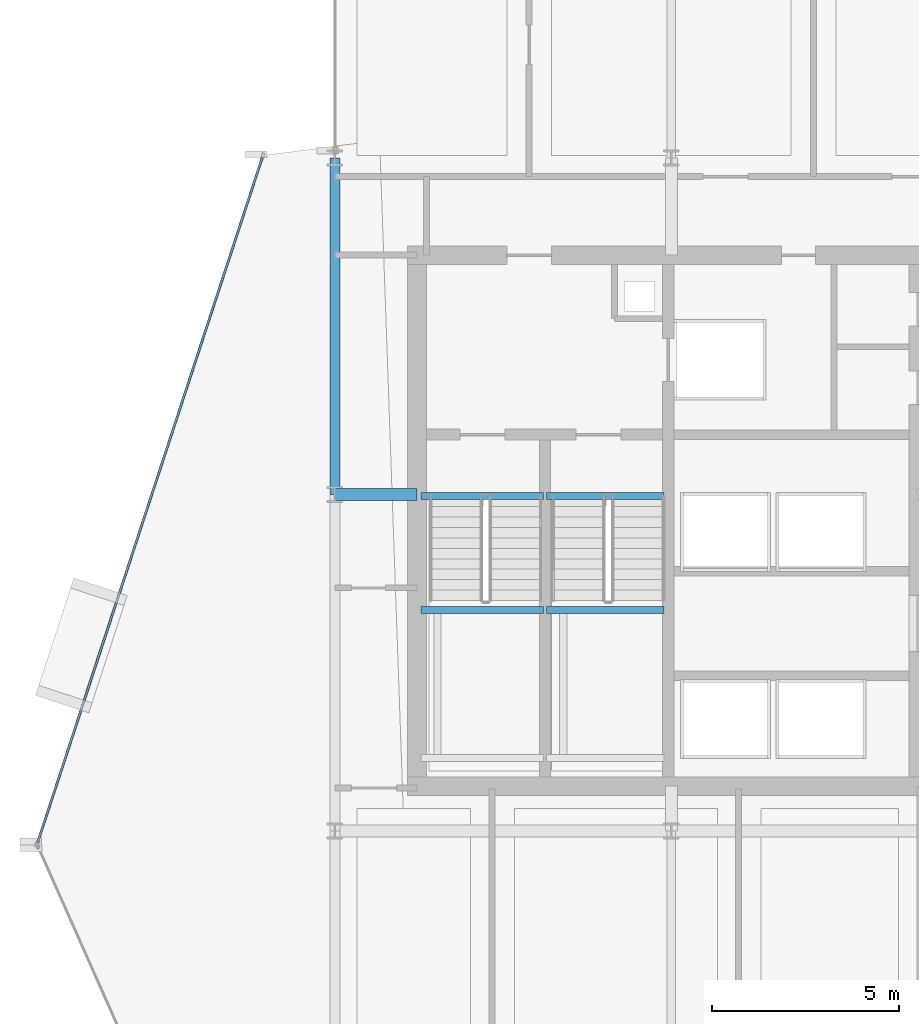
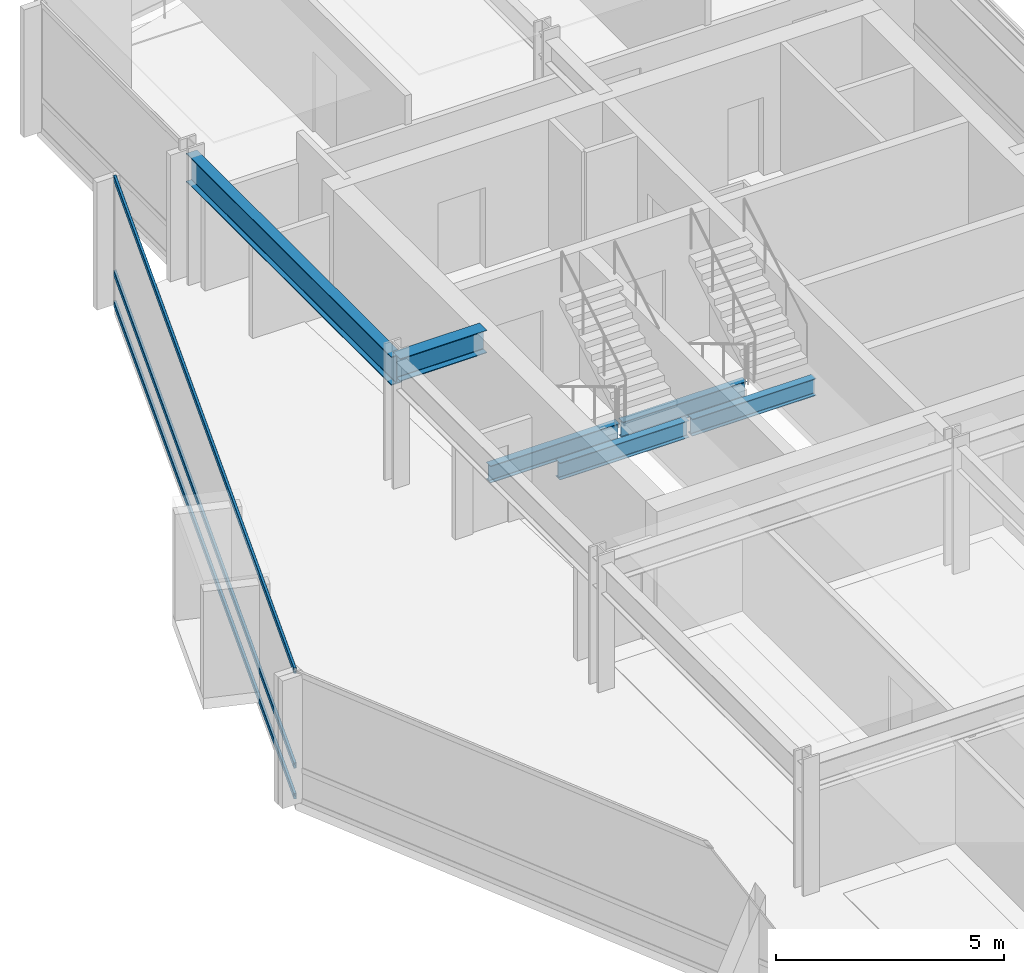
# One storey, part 15 of 28: 6 beams, 3 members, 1 element without a shape of its own.
"""IFC4 building model written with IfcOpenShell, lengths in metres."""

from ifc_helpers import new_model, si_unit, direction, frame, origin, origin_2d, place, context, subcontext, project, spatial, hollow_rectangle, i_section, extrude, material, layer, layer_set, material_profile, profile_set, type_object, element, aggregate, save


model = new_model("IFC4")

# Units and contexts
model_context = context("Model", 3, precision=1e-05, world=origin(), true_north=direction((0.0, 1.0)))
body_context = subcontext(model_context, "Body", "Model", "MODEL_VIEW")
ifc_project = project(units=[si_unit("LENGTHUNIT", "METRE"), si_unit("AREAUNIT", "SQUARE_METRE"), si_unit("VOLUMEUNIT", "CUBIC_METRE"), si_unit("PLANEANGLEUNIT", "RADIAN"), si_unit("MASSUNIT", "GRAM", prefix="KILO")], contexts=[model_context])

# Site, building, storey
site_placement = place(None, origin())
site = spatial("IfcSite", under=ifc_project, at=site_placement, CompositionType="ELEMENT")
building_placement = place(site_placement, origin())
building = spatial("IfcBuilding", under=site, at=building_placement, Name="Solvaryn Broadcast Tower", CompositionType="ELEMENT")
storey_placement = place(building_placement, frame((0.0, 0.0, 158.10009765625)))
storey = spatial("IfcBuildingStorey", under=building, at=storey_placement, Name="L39", CompositionType="ELEMENT", Elevation=158.10009765625)

# Beams
ifc_material_1 = material(Name="Steel ASTM A992 Grade 50", Category="steel")
ifc_material_profile_1 = material_profile(ifc_material_1, i_section(OverallWidth=0.323974609375, OverallDepth=0.611083984375, WebThickness=0.0126953125, FlangeThickness=0.01904296875, FilletRadius=0.014892578125, at=origin_2d()))
ifc_profile_set_1 = profile_set([ifc_material_profile_1], Name="Steel ASTM A992 Grade 50")
beam_type_1 = type_object("IfcBeamType", Name="BM-B1-W24X104", PredefinedType="BEAM", material=ifc_profile_set_1)
beam_1_placement = place(storey_placement, frame((9.0, 36.0, 3.114501953125), z_axis=(1.0, 0.0, 0.0), x_axis=(0.0, 1.0, 0.0)))
element("IfcBeam", 1, at=beam_1_placement, inside=storey, type_object=beam_type_1, Name="L39 Core Tie Beam CTW1", PredefinedType="BEAM", context=body_context, shape_type="SweptSolid", body=[
    extrude(i_section(OverallWidth=0.323974609375, OverallDepth=0.611083984375, WebThickness=0.0126953125, FlangeThickness=0.01904296875, FilletRadius=0.014892578125, at=origin_2d()), origin(), (0.0, 0.0, 1.0), 2.199951171875),
])
ifc_material_2 = material(Name="Steel ASTM A992 Grade 50", Category="steel")
ifc_material_profile_2 = material_profile(ifc_material_2, i_section(OverallWidth=0.18994140625, OverallDepth=0.45703125, WebThickness=0.009033203125, FlangeThickness=0.014404296875, FilletRadius=0.011962890625, at=origin_2d()))
ifc_profile_set_2 = profile_set([ifc_material_profile_2], Name="Steel ASTM A992 Grade 50")
beam_type_2 = type_object("IfcBeamType", Name="BM-B4-W18X50", PredefinedType="BEAM", material=ifc_profile_set_2)
for number, where, z_axis, x_axis, name in (
    (2, (11.300048828125, 35.9599609375, -0.508544921875), (1.0, 0.0, 0.0), (0.0, 1.0, 0.0), "L39 ST1 Stair Well Trimmer Beam"),
    (3, (11.300048828125, 32.909912109375, 1.42138671875), (1.0, 0.0, 0.0), (0.0, 1.0, 0.0), "L39 ST1 Landing Support Beam 1B"),
):
    element("IfcBeam", number, at=place(storey_placement, frame(where, z_axis=z_axis, x_axis=x_axis)), inside=storey, type_object=beam_type_2, Name=name, PredefinedType="BEAM", context=body_context, shape_type="SweptSolid", body=[
        extrude(i_section(OverallWidth=0.18994140625, OverallDepth=0.45703125, WebThickness=0.009033203125, FlangeThickness=0.014404296875, FilletRadius=0.011962890625, at=origin_2d()), origin(), (0.0, 0.0, 1.0), 3.280029296875),
    ])
for number, where, z_axis, x_axis, name in (
    (4, (14.659912109375, 35.9599609375, -0.508544921875), (1.0, 0.0, 0.0), (0.0, 1.0, 0.0), "L39 ST2 Stair Well Trimmer Beam"),
    (5, (14.659912109375, 32.909912109375, 1.42138671875), (1.0, 0.0, 0.0), (0.0, 1.0, 0.0), "L39 ST2 Landing Support Beam 1B"),
):
    element("IfcBeam", number, at=place(storey_placement, frame(where, z_axis=z_axis, x_axis=x_axis)), inside=storey, type_object=beam_type_2, Name=name, PredefinedType="BEAM", context=body_context, shape_type="SweptSolid", body=[
        extrude(i_section(OverallWidth=0.18994140625, OverallDepth=0.45703125, WebThickness=0.009033203125, FlangeThickness=0.014404296875, FilletRadius=0.011962890625, at=origin_2d()), origin(), (0.0, 0.0, 1.0), 3.14013671875),
    ])
ifc_material_3 = material(Name="Steel ASTM A992 Grade 50", Category="steel")
ifc_material_profile_3 = material_profile(ifc_material_3, i_section(OverallWidth=0.26708984375, OverallDepth=0.76611328125, WebThickness=0.014892578125, FlangeThickness=0.023681640625, FilletRadius=0.01806640625, at=origin_2d()))
ifc_profile_set_3 = profile_set([ifc_material_profile_3], Name="Steel ASTM A992 Grade 50")
beam_type_3 = type_object("IfcBeamType", Name="BM-SP2-W30X124", PredefinedType="USERDEFINED", material=ifc_profile_set_3)
beam_2_placement = place(storey_placement, frame((9.0, 36.0, 3.036865234375), z_axis=(0.0, 1.0, 0.0), x_axis=(-1.0, 0.0, 0.0)))
element("IfcBeam", 6, at=beam_2_placement, inside=storey, type_object=beam_type_3, Name="L39 Spandrel Beam Y (36-45 @ X=9)", ObjectType="SPANDREL", PredefinedType="USERDEFINED", context=body_context, shape_type="SweptSolid", body=[
    extrude(i_section(OverallWidth=0.26708984375, OverallDepth=0.76611328125, WebThickness=0.014892578125, FlangeThickness=0.023681640625, FilletRadius=0.01806640625, at=origin_2d()), origin(), (0.0, 0.0, 1.0), 9.0),
])

# Curtain wall, members
ifc_material_4 = material(Name="Aluminium and Terracotta Unitised Curtain Wall", Category="masonry")
ifc_layer = layer(ifc_material_4, 0.199951171875)
ifc_layer_set = layer_set([ifc_layer], Name="CW-SYS2-LOWMID")
curtain_wall_type = type_object("IfcCurtainWallType", Name="CW-SYS2-LOWMID", PredefinedType="NOTDEFINED", material=ifc_layer_set)
curtain_wall_placement = place(storey_placement, origin())
curtain_wall = element("IfcCurtainWall", 7, at=curtain_wall_placement, inside=storey, type_object=curtain_wall_type, Name="L39 Curtain Wall DR1", PredefinedType="NOTDEFINED")
ifc_material_5 = material(Name="Anodised Aluminium 6063-T6", Category="aluminium")
ifc_material_profile_4 = material_profile(ifc_material_5, hollow_rectangle(XDim=0.06494140625, YDim=0.14990234375, WallThickness=0.00390625, InnerFilletRadius=0.00390625, OuterFilletRadius=0.008056640625, at=origin_2d()))
ifc_profile_set_4 = profile_set([ifc_material_profile_4], Name="Anodised Aluminium 6063-T6")
member_type = type_object("IfcMemberType", Name="CW-TRN-150", PredefinedType="USERDEFINED", material=ifc_profile_set_4)
member_1_placement = place(storey_placement, frame((7.060302734375, 45.010009765625, 0.02978515625), z_axis=(-0.31164571445, -0.950198373323, 0.0), x_axis=(0.950198373323, -0.31164571445, 0.0)))
member_1 = element("IfcMember", 8, at=member_1_placement, type_object=member_type, Name="CWS2 transom 1.1", ObjectType="TRANSOM", PredefinedType="USERDEFINED", context=body_context, shape_type="SweptSolid", body=[
    extrude(hollow_rectangle(XDim=0.06494140625, YDim=0.14990234375, WallThickness=0.00390625, InnerFilletRadius=0.00390625, OuterFilletRadius=0.008056640625, at=origin_2d()), origin(), (0.0, 0.0, 1.0), 19.27685546875),
])
member_2_placement = place(storey_placement, frame((7.060302734375, 45.010009765625, 0.849853515625), z_axis=(-0.31164571445, -0.950198373323, 0.0), x_axis=(0.950198373323, -0.31164571445, 0.0)))
member_2 = element("IfcMember", 9, at=member_2_placement, type_object=member_type, Name="CWS2 transom 1.2", ObjectType="TRANSOM", PredefinedType="USERDEFINED", context=body_context, shape_type="SweptSolid", body=[
    extrude(hollow_rectangle(XDim=0.06494140625, YDim=0.14990234375, WallThickness=0.00390625, InnerFilletRadius=0.00390625, OuterFilletRadius=0.008056640625, at=origin_2d()), origin(), (0.0, 0.0, 1.0), 19.27685546875),
])
member_3_placement = place(storey_placement, frame((7.060302734375, 45.010009765625, 3.389892578125), z_axis=(-0.31164571445, -0.950198373323, 0.0), x_axis=(0.950198373323, -0.31164571445, 0.0)))
member_3 = element("IfcMember", 10, at=member_3_placement, type_object=member_type, Name="CWS2 transom 1.3", ObjectType="TRANSOM", PredefinedType="USERDEFINED", context=body_context, shape_type="SweptSolid", body=[
    extrude(hollow_rectangle(XDim=0.06494140625, YDim=0.14990234375, WallThickness=0.00390625, InnerFilletRadius=0.00390625, OuterFilletRadius=0.008056640625, at=origin_2d()), origin(), (0.0, 0.0, 1.0), 19.27685546875),
])
aggregate(curtain_wall, [member_1, member_2, member_3])

save(model, "model.ifc")
